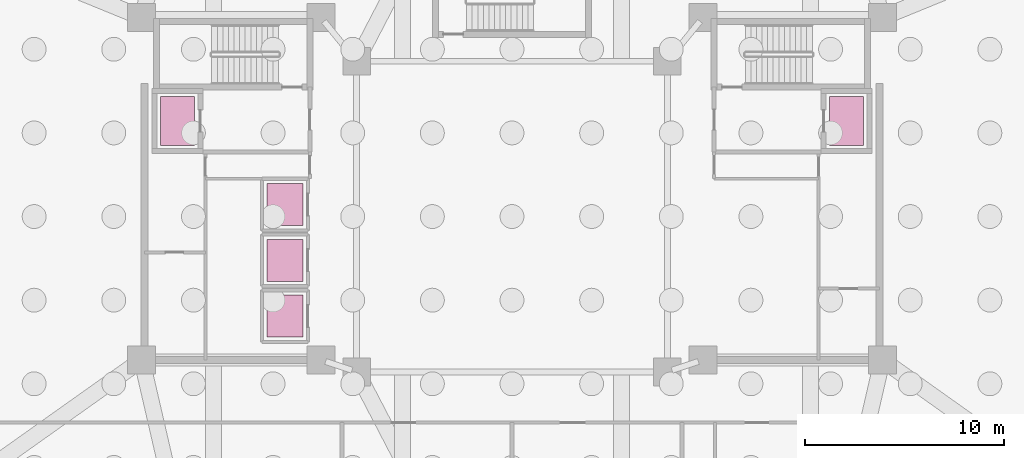
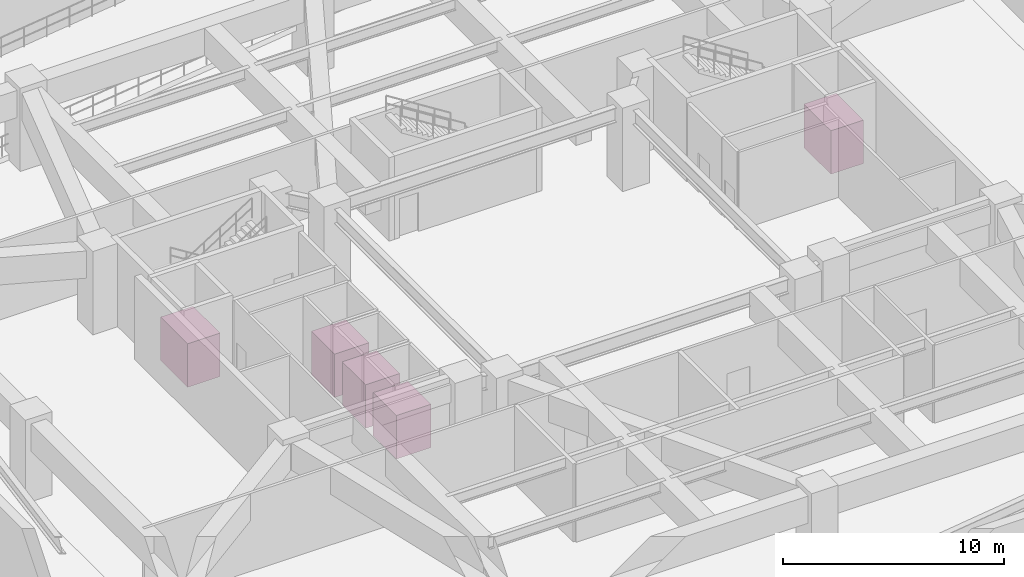
# One storey, part 9 of 9: 5 transport elements.
"""IFC4 building model written with IfcOpenShell, lengths in metres."""

from ifc_helpers import new_model, si_unit, direction, frame, origin, origin_2d, place, context, subcontext, project, spatial, rectangle, extrude, material, type_object, element, save


model = new_model("IFC4")

# Units and contexts
model_context = context("Model", 3, precision=1e-05, world=origin(), true_north=direction((0.0, 1.0)))
body_context = subcontext(model_context, "Body", "Model", "MODEL_VIEW")
ifc_project = project(units=[si_unit("LENGTHUNIT", "METRE"), si_unit("AREAUNIT", "SQUARE_METRE"), si_unit("VOLUMEUNIT", "CUBIC_METRE"), si_unit("PLANEANGLEUNIT", "RADIAN"), si_unit("MASSUNIT", "GRAM", prefix="KILO")], contexts=[model_context])

# Site, building, storey
site_placement = place(None, origin())
site = spatial("IfcSite", under=ifc_project, at=site_placement, CompositionType="ELEMENT")
building_placement = place(site_placement, origin())
building = spatial("IfcBuilding", under=site, at=building_placement, Name="Tarnavaz Court Tower", CompositionType="ELEMENT")
storey_placement = place(building_placement, frame((0.0, 0.0, -9.199951171875)))
storey = spatial("IfcBuildingStorey", under=building, at=storey_placement, Name="B02", CompositionType="ELEMENT", Elevation=-9.199951171875)

# Transport elements
ifc_material = material(Name="Brushed Stainless Steel Cab Assembly", Category="steel")
transport_element_type_1 = type_object("IfcTransportElementType", Name="LF-FF-1800", PredefinedType="ELEVATOR", material=ifc_material)
for number, where, z_axis, x_axis, name in (
    (1, (-16.800048828125, 4.800048828125, 0.0), (0.0, 0.0, 1.0), (1.0, 0.0, 0.0), "Elevator Car FL-W1"),
    (2, (16.800048828125, 4.800048828125, 0.0), (0.0, 0.0, 1.0), (1.0, 0.0, 0.0), "Elevator Car FL-E1"),
):
    element("IfcTransportElement", number, at=place(storey_placement, frame(where, z_axis=z_axis, x_axis=x_axis)), inside=storey, type_object=transport_element_type_1, Name=name, PredefinedType="ELEVATOR", context=body_context, shape_type="SweptSolid", body=[
        extrude(rectangle(XDim=1.699951171875, YDim=2.449951171875, at=origin_2d()), origin(), (0.0, 0.0, 1.0), 2.39990234375),
    ])
transport_element_type_2 = type_object("IfcTransportElementType", Name="LF-PASS-1600", PredefinedType="ELEVATOR", material=ifc_material)
for number, where, z_axis, x_axis, name in (
    (3, (-11.39990234375, -5.0, 0.0), (0.0, 0.0, 1.0), (1.0, 0.0, 0.0), "Elevator Car PL-L1"),
    (4, (-11.39990234375, -2.199951171875, 0.0), (0.0, 0.0, 1.0), (1.0, 0.0, 0.0), "Elevator Car PL-L2"),
    (5, (-11.39990234375, 0.60009765625, 0.0), (0.0, 0.0, 1.0), (1.0, 0.0, 0.0), "Elevator Car PL-L3"),
):
    element("IfcTransportElement", number, at=place(storey_placement, frame(where, z_axis=z_axis, x_axis=x_axis)), inside=storey, type_object=transport_element_type_2, Name=name, PredefinedType="ELEVATOR", context=body_context, shape_type="SweptSolid", body=[
        extrude(rectangle(XDim=1.800048828125, YDim=2.10009765625, at=origin_2d()), origin(), (0.0, 0.0, 1.0), 2.39990234375),
    ])

save(model, "model.ifc")
